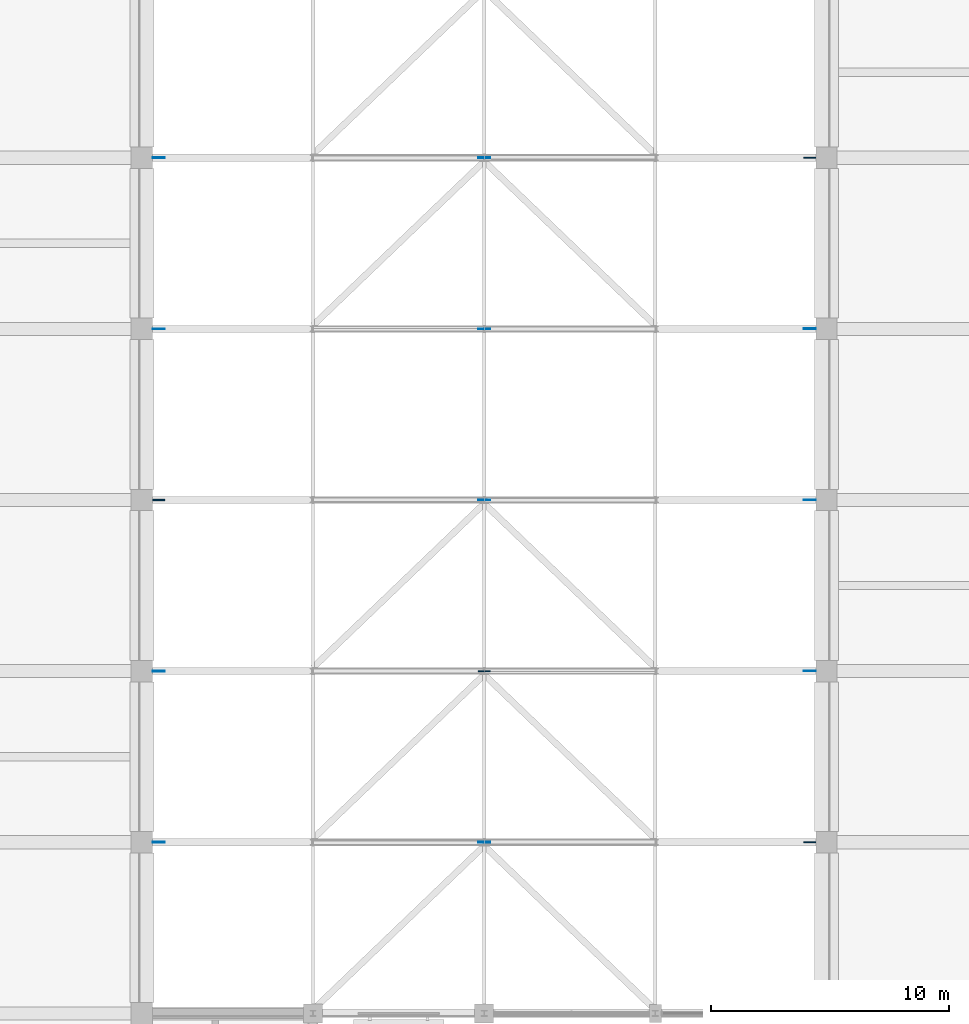
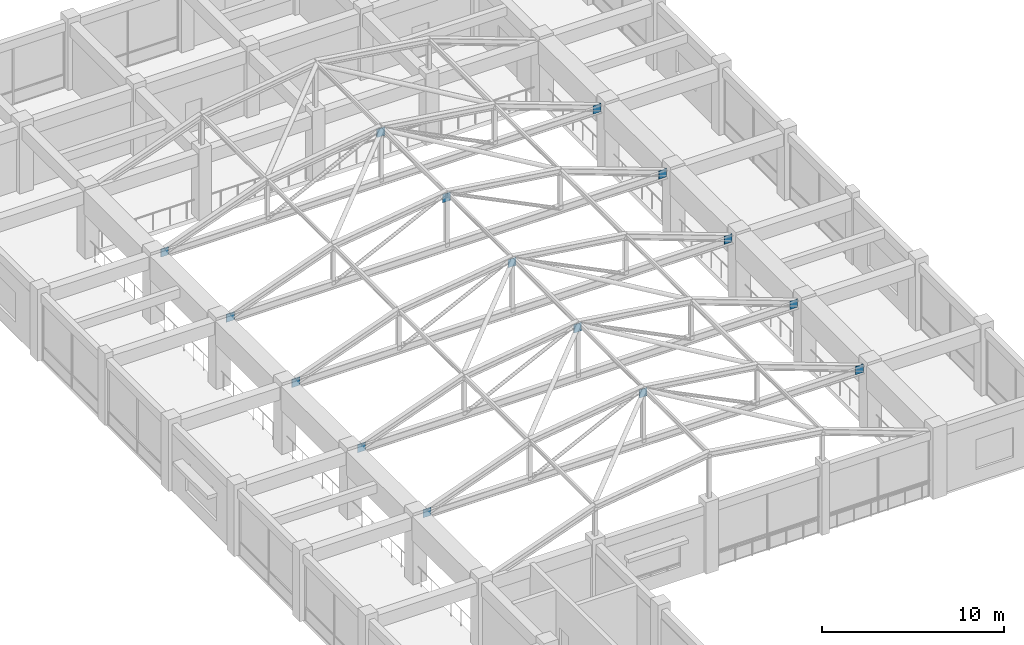
# One storey, part 55 of 75: 15 plates.
"""IFC4 building model written with IfcOpenShell, lengths in metres."""

from ifc_helpers import new_model, si_unit, direction, frame, origin, origin_2d, place, context, subcontext, project, spatial, rectangle, extrude, material, layer, layer_set, type_object, element, save


model = new_model("IFC4")

# Units and contexts
model_context = context("Model", 3, precision=1e-05, world=origin(), true_north=direction((0.0, 1.0)))
body_context = subcontext(model_context, "Body", "Model", "MODEL_VIEW")
ifc_project = project(units=[si_unit("LENGTHUNIT", "METRE"), si_unit("AREAUNIT", "SQUARE_METRE"), si_unit("VOLUMEUNIT", "CUBIC_METRE"), si_unit("PLANEANGLEUNIT", "RADIAN"), si_unit("MASSUNIT", "GRAM", prefix="KILO")], contexts=[model_context])

# Site, building, storey
site_placement = place(None, origin())
site = spatial("IfcSite", under=ifc_project, at=site_placement, CompositionType="ELEMENT")
building_placement = place(site_placement, origin())
building = spatial("IfcBuilding", under=site, at=building_placement, Name="Cendaluz Park School", CompositionType="ELEMENT")
storey_placement = place(building_placement, frame((0.0, 0.0, 4.800048828125)))
storey = spatial("IfcBuildingStorey", under=building, at=storey_placement, Name="L01", CompositionType="ELEMENT", Elevation=4.800048828125)

# Plates
ifc_material = material(Name="Steel S355", Category="steel")
ifc_layer_1 = layer(ifc_material, 0.02001953125)
ifc_layer_set_1 = layer_set([ifc_layer_1], Name="Steel S355")
plate_type_1 = type_object("IfcPlateType", Name="GP-01", PredefinedType="SHEET", material=ifc_layer_set_1)
for number, where, z_axis, x_axis, name in (
    (1, (164.89990234375, 72.0, 3.9248046875), (0.0, 0.0, 1.0), (1.0, 0.0, 0.0), "GP-L01-021"),
    (2, (151.199951171875, 79.199951171875, 7.14501953125), (0.0, 0.0, 1.0), (1.0, 0.0, 0.0), "GP-L01-023"),
    (3, (137.5, 86.39990234375, 3.9248046875), (0.0, 0.0, 1.0), (1.0, 0.0, 0.0), "GP-L01-025"),
):
    element("IfcPlate", number, at=place(storey_placement, frame(where, z_axis=z_axis, x_axis=x_axis)), inside=storey, type_object=plate_type_1, Name=name, PredefinedType="SHEET", context=body_context, shape_type="SweptSolid", body=[
        extrude(rectangle(XDim=0.5, YDim=0.02001953125, at=origin_2d()), origin(), (0.0, 0.0, 1.0), 0.550048828125),
    ])
ifc_layer_2 = layer(ifc_material, 0.030029296875)
ifc_layer_set_2 = layer_set([ifc_layer_2], Name="Steel S355")
plate_type_2 = type_object("IfcPlateType", Name="GP-02", PredefinedType="SHEET", material=ifc_layer_set_2)
for number, where, z_axis, x_axis, name in (
    (4, (137.5, 64.800048828125, 3.9248046875), (0.0, 0.0, 1.0), (1.0, 0.0, 0.0), "GP-L01-016"),
    (5, (164.89990234375, 79.199951171875, 3.9248046875), (0.0, 0.0, 1.0), (1.0, 0.0, 0.0), "GP-L01-024"),
    (6, (151.199951171875, 86.39990234375, 7.14501953125), (0.0, 0.0, 1.0), (1.0, 0.0, 0.0), "GP-L01-026"),
    (7, (137.5, 93.60009765625, 3.9248046875), (0.0, 0.0, 1.0), (1.0, 0.0, 0.0), "GP-L01-028"),
):
    element("IfcPlate", number, at=place(storey_placement, frame(where, z_axis=z_axis, x_axis=x_axis)), inside=storey, type_object=plate_type_2, Name=name, PredefinedType="SHEET", context=body_context, shape_type="SweptSolid", body=[
        extrude(rectangle(XDim=0.5, YDim=0.030029296875, at=origin_2d()), origin(), (0.0, 0.0, 1.0), 0.550048828125),
    ])
ifc_layer_3 = layer(ifc_material, 0.0400390625)
ifc_layer_set_3 = layer_set([ifc_layer_3], Name="Steel S355")
plate_type_3 = type_object("IfcPlateType", Name="GP-03", PredefinedType="SHEET", material=ifc_layer_set_3)
for number, where, z_axis, x_axis, name in (
    (8, (151.199951171875, 64.800048828125, 7.14501953125), (0.0, 0.0, 1.0), (1.0, 0.0, 0.0), "GP-L01-017"),
    (9, (137.5, 72.0, 3.9248046875), (0.0, 0.0, 1.0), (1.0, 0.0, 0.0), "GP-L01-019"),
    (10, (164.89990234375, 86.39990234375, 3.9248046875), (0.0, 0.0, 1.0), (1.0, 0.0, 0.0), "GP-L01-027"),
    (11, (151.199951171875, 93.60009765625, 7.14501953125), (0.0, 0.0, 1.0), (1.0, 0.0, 0.0), "GP-L01-029"),
):
    element("IfcPlate", number, at=place(storey_placement, frame(where, z_axis=z_axis, x_axis=x_axis)), inside=storey, type_object=plate_type_3, Name=name, PredefinedType="SHEET", context=body_context, shape_type="SweptSolid", body=[
        extrude(rectangle(XDim=0.5, YDim=0.0400390625, at=origin_2d()), origin(), (0.0, 0.0, 1.0), 0.550048828125),
    ])
ifc_layer_4 = layer(ifc_material, 0.050048828125)
ifc_layer_set_4 = layer_set([ifc_layer_4], Name="Steel S355")
plate_type_4 = type_object("IfcPlateType", Name="GP-04", PredefinedType="SHEET", material=ifc_layer_set_4)
for number, where, z_axis, x_axis, name in (
    (12, (164.89990234375, 64.800048828125, 3.9248046875), (0.0, 0.0, 1.0), (1.0, 0.0, 0.0), "GP-L01-018"),
    (13, (151.199951171875, 72.0, 7.14501953125), (0.0, 0.0, 1.0), (1.0, 0.0, 0.0), "GP-L01-020"),
    (14, (137.5, 79.199951171875, 3.9248046875), (0.0, 0.0, 1.0), (1.0, 0.0, 0.0), "GP-L01-022"),
    (15, (164.89990234375, 93.60009765625, 3.9248046875), (0.0, 0.0, 1.0), (1.0, 0.0, 0.0), "GP-L01-030"),
):
    element("IfcPlate", number, at=place(storey_placement, frame(where, z_axis=z_axis, x_axis=x_axis)), inside=storey, type_object=plate_type_4, Name=name, PredefinedType="SHEET", context=body_context, shape_type="SweptSolid", body=[
        extrude(rectangle(XDim=0.5, YDim=0.050048828125, at=origin_2d()), origin(), (0.0, 0.0, 1.0), 0.550048828125),
    ])

save(model, "model.ifc")
